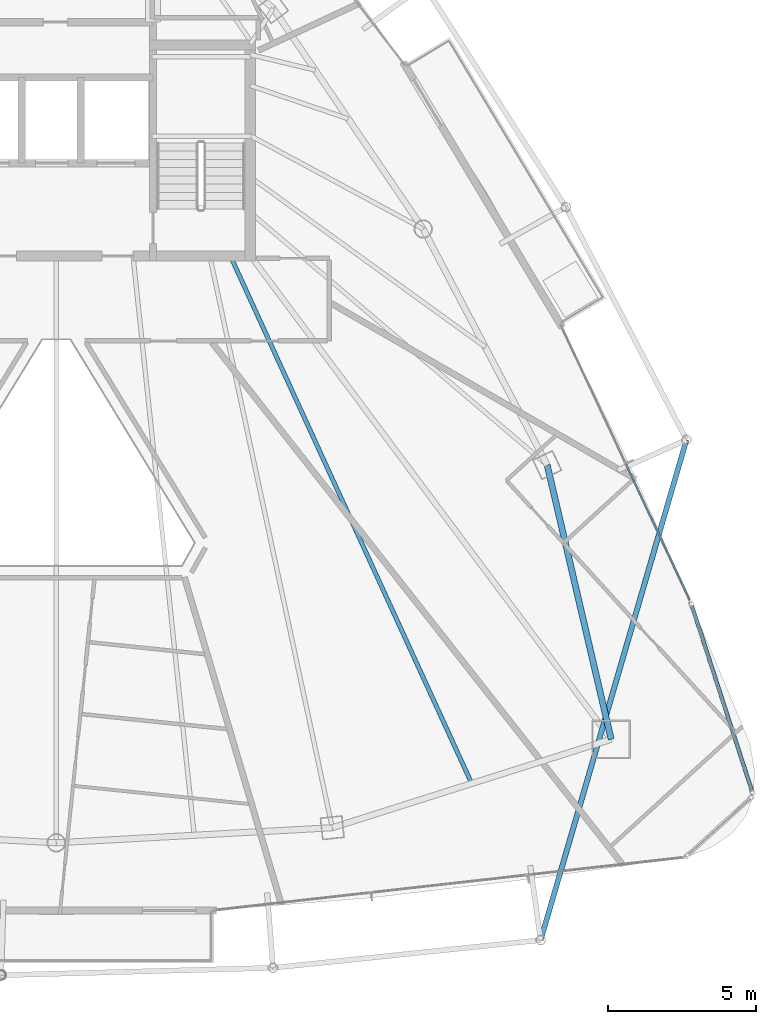
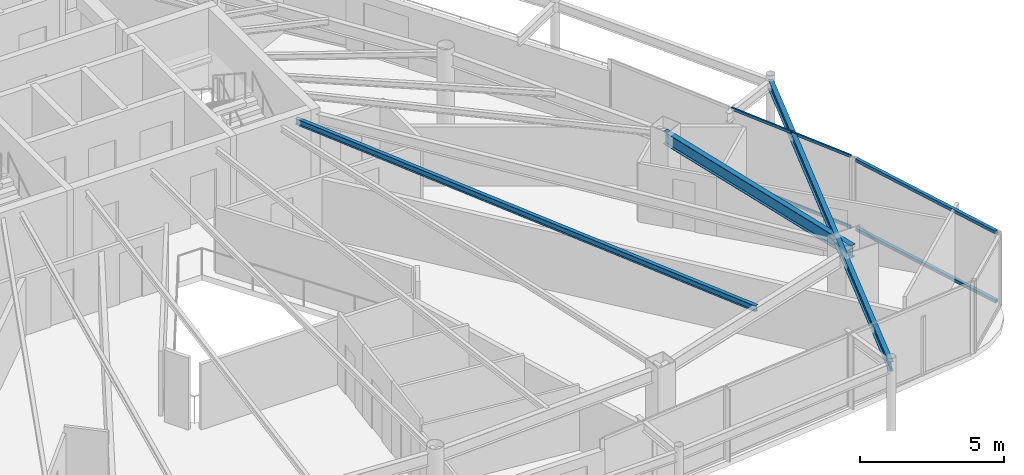
# One storey, part 17 of 34: 4 members, 3 beams, 2 elements without a shape of their own.
"""IFC4 building model written with IfcOpenShell, lengths in metres."""

import ifcopenshell
import ifcopenshell.guid

model = None  # the IFC model being written
_history = None  # IfcOwnerHistory: only IFC2X3 demands one
_inside = {}  # id of a spatial element -> (the spatial element, [elements in it])
_under = {}  # id of a project, library or spatial element -> (it, [spatial elements below it])
_declared = {}  # id of a project -> (the project, [libraries it declares])
_typed = {}  # id of a type object -> (the type object, [elements of that type])
_made_of = {}  # id of a material, layer set ... -> (it, [elements and type objects made of it])


def new_model(schema):
    """Start an empty IFC model of exactly this schema.

    Asked for "IFC4X3", IfcOpenShell would pick the latest addendum, in which some entities
    have other attributes; the version numbers below select the first issue.
    IFC2X3 requires an IfcOwnerHistory on every rooted entity: one is made here for all.
    """
    global model, _history
    if schema == "IFC4X3":
        model = ifcopenshell.file(schema_version=(4, 3, 0, 0))
    else:
        model = ifcopenshell.file(schema=schema)
    _inside.clear()
    _under.clear()
    _declared.clear()
    _typed.clear()
    _made_of.clear()
    _history = None
    if model.schema == "IFC2X3":
        org = make("IfcOrganization", Name="unknown")
        user = make(
            "IfcPersonAndOrganization",
            ThePerson=make("IfcPerson", FamilyName="unknown"),
            TheOrganization=org,
        )
        app = make(
            "IfcApplication",
            ApplicationDeveloper=org,
            Version="unknown",
            ApplicationFullName="unknown",
            ApplicationIdentifier="unknown",
        )
        _history = make(
            "IfcOwnerHistory",
            OwningUser=user,
            OwningApplication=app,
            ChangeAction="ADDED",
            CreationDate=0,
        )
    return model


def make(cls, **values):
    """One entity of the class cls with the attributes given. An attribute that is None is left unset."""
    return model.create_entity(
        cls, **{name: value for name, value in values.items() if value is not None}
    )


def rooted(cls, **values):
    """An entity with a GlobalId (a new one), such as an element, a storey or a relation."""
    return make(cls, GlobalId=ifcopenshell.guid.new(), OwnerHistory=_history, **values)


def si_unit(unit_type, name, prefix=None):
    """IfcSIUnit, for example si_unit("LENGTHUNIT", "METRE", prefix="MILLI")."""
    return make("IfcSIUnit", UnitType=unit_type, Prefix=prefix, Name=name)


def assignment(units):
    """IfcUnitAssignment: the units of a project."""
    return None if units is None else make("IfcUnitAssignment", Units=units)


def point(xyz):
    """IfcCartesianPoint."""
    return None if xyz is None else make("IfcCartesianPoint", Coordinates=xyz)


def direction(xyz):
    """IfcDirection."""
    return None if xyz is None else make("IfcDirection", DirectionRatios=xyz)


def frame(location, z_axis=None, x_axis=None):
    """IfcAxis2Placement3D, a coordinate frame: its origin and axes. An axis left out is left unset."""
    return make(
        "IfcAxis2Placement3D",
        Location=point(location),
        Axis=direction(z_axis),
        RefDirection=direction(x_axis),
    )


def frame_2d(location, x_axis=None):
    """IfcAxis2Placement2D, a coordinate frame in the plane: its origin and x axis."""
    return make(
        "IfcAxis2Placement2D", Location=point(location), RefDirection=direction(x_axis)
    )


def origin():
    """The frame at (0, 0, 0) with its axes left unset."""
    return frame((0.0, 0.0, 0.0))


def origin_2d():
    """The frame at (0, 0) in the plane with its x axis left unset."""
    return frame_2d((0.0, 0.0))


def place(relative_to, where):
    """IfcLocalPlacement: puts the frame where relative to a parent placement (None: the world)."""
    return make(
        "IfcLocalPlacement", PlacementRelTo=relative_to, RelativePlacement=where
    )


def context(
    kind, dimensions, precision=None, world=None, true_north=None, identifier=None
):
    """IfcGeometricRepresentationContext, for example the 3D "Model" context."""
    return make(
        "IfcGeometricRepresentationContext",
        ContextIdentifier=identifier,
        ContextType=kind,
        CoordinateSpaceDimension=dimensions,
        Precision=precision,
        WorldCoordinateSystem=world,
        TrueNorth=true_north,
    )


def subcontext(parent, identifier, kind, view, scale=None):
    """IfcGeometricRepresentationSubContext, for example "Body" below "Model"."""
    return make(
        "IfcGeometricRepresentationSubContext",
        ContextIdentifier=identifier,
        ContextType=kind,
        ParentContext=parent,
        TargetScale=scale,
        TargetView=view,
    )


def project(units=None, contexts=None):
    """IfcProject with its units and contexts."""
    return rooted(
        "IfcProject",
        Name="project",
        RepresentationContexts=contexts,
        UnitsInContext=assignment(units),
    )


def spatial(cls, under=None, at=None, **own):
    """A site, building, storey or space (cls), placed at a placement, below another one or the project."""
    s = rooted(cls, ObjectPlacement=at, **own)
    if under is not None:
        _under.setdefault(under.id(), (under, []))[1].append(s)
    return s


def profile(cls, at=None, kind="AREA", **sizes):
    """A parametric profile (cls). Its sizes go by their IFC names, for example OverallWidth=200.0."""
    return make(cls, ProfileType=kind, Position=at, **sizes)


def hollow_rectangle(**sizes):
    """IfcRectangleHollowProfileDef."""
    return profile("IfcRectangleHollowProfileDef", **sizes)


def i_section(**sizes):
    """IfcIShapeProfileDef."""
    return profile("IfcIShapeProfileDef", **sizes)


def extrude(swept, where, along, depth):
    """IfcExtrudedAreaSolid: the profile swept, set in the frame where, extruded along a direction by depth."""
    return make(
        "IfcExtrudedAreaSolid",
        SweptArea=swept,
        Position=where,
        ExtrudedDirection=direction(along),
        Depth=depth,
    )


def shape(context_of_items, identifier, shape_type, items):
    """IfcShapeRepresentation: the items that make up one representation, for example the "Body"."""
    return make(
        "IfcShapeRepresentation",
        ContextOfItems=context_of_items,
        RepresentationIdentifier=identifier,
        RepresentationType=shape_type,
        Items=items,
    )


def material(Name=None, Category=None):
    """IfcMaterial."""
    return make("IfcMaterial", Name=Name, Category=Category)


def layer(
    of_material, thickness, ventilated=None, Name=None, Category=None, Priority=None
):
    """IfcMaterialLayer: one layer of a wall or slab, of a material (None: an air gap)."""
    return make(
        "IfcMaterialLayer",
        Material=of_material,
        LayerThickness=thickness,
        IsVentilated=ventilated,
        Name=Name,
        Category=Category,
        Priority=Priority,
    )


def layer_set(layers, Name=None):
    """IfcMaterialLayerSet."""
    return make("IfcMaterialLayerSet", MaterialLayers=layers, LayerSetName=Name)


def material_profile(
    of_material, cross_section, Name=None, Category=None, Priority=None
):
    """IfcMaterialProfile: a cross section and its material."""
    return make(
        "IfcMaterialProfile",
        Name=Name,
        Material=of_material,
        Profile=cross_section,
        Priority=Priority,
        Category=Category,
    )


def profile_set(profiles, Name=None, composite=None):
    """IfcMaterialProfileSet."""
    return make(
        "IfcMaterialProfileSet",
        Name=Name,
        MaterialProfiles=profiles,
        CompositeProfile=composite,
    )


def made_of(thing, what):
    """Note that an element or type object is made of a material, layer set ...; save() writes the relation."""
    if what is not None:
        _made_of.setdefault(what.id(), (what, []))[1].append(thing)
    return thing


def type_object(cls, material=None, **own):
    """A type object (cls), such as IfcWallType, which elements share."""
    return made_of(rooted(cls, **own), material)


def element(
    cls,
    number,
    at=None,
    inside=None,
    cuts=None,
    type_object=None,
    material=None,
    context=None,
    identifier="Body",
    shape_type=None,
    held_by="IfcProductDefinitionShape",
    body=None,
    shapes=None,
    **own,
):
    """One element of the class cls, such as IfcWall. Its Tag is "e" and its number.

    at: its placement. inside: the storey or other place that contains it. cuts: it is an
    opening in that element (IfcRelVoidsElement). A single representation is given by context,
    identifier, shape_type and body (its items); several are given by shapes. held_by: the class
    of the entity that holds the representations. save() writes the other relations.
    """
    e = rooted(cls, Tag="e%d" % number, ObjectPlacement=at, **own)
    if body is not None:
        shapes = [shape(context, identifier, shape_type, body)]
    if shapes is not None:
        e.Representation = make(held_by, Representations=shapes)
    if inside is not None:
        _inside.setdefault(inside.id(), (inside, []))[1].append(e)
    if cuts is not None:
        rooted(
            "IfcRelVoidsElement", RelatingBuildingElement=cuts, RelatedOpeningElement=e
        )
    if type_object is not None:
        _typed.setdefault(type_object.id(), (type_object, []))[1].append(e)
    return made_of(e, material)


def aggregate(whole, parts):
    """IfcRelAggregates: a whole, such as a stair, and the parts it consists of."""
    return rooted("IfcRelAggregates", RelatingObject=whole, RelatedObjects=parts)


def save(model, path):
    """Write the relations noted so far, then the file.

    IfcRelAggregates (storeys below a building ...), IfcRelContainedInSpatialStructure (elements
    in a storey), IfcRelDefinesByType, IfcRelAssociatesMaterial and IfcRelDeclares: one each for
    every whole, place, type object, material and project.
    """
    for whole, parts in _under.values():
        aggregate(whole, parts)
    for where, things in _inside.values():
        rooted(
            "IfcRelContainedInSpatialStructure",
            RelatedElements=things,
            RelatingStructure=where,
        )
    for kind, things in _typed.values():
        rooted("IfcRelDefinesByType", RelatedObjects=things, RelatingType=kind)
    for what, things in _made_of.values():
        rooted("IfcRelAssociatesMaterial", RelatedObjects=things, RelatingMaterial=what)
    for by, libraries in _declared.values():
        rooted("IfcRelDeclares", RelatingContext=by, RelatedDefinitions=libraries)
    model.write(path)


model = new_model("IFC4")

# Units and contexts
model_context = context("Model", 3, precision=1e-05, world=origin(), true_north=direction((0.0, 1.0)))
body_context = subcontext(model_context, "Body", "Model", "MODEL_VIEW")
ifc_project = project(units=[si_unit("LENGTHUNIT", "METRE"), si_unit("AREAUNIT", "SQUARE_METRE"), si_unit("VOLUMEUNIT", "CUBIC_METRE"), si_unit("PLANEANGLEUNIT", "RADIAN"), si_unit("MASSUNIT", "GRAM", prefix="KILO")], contexts=[model_context])

# Site, building, storey
site_placement = place(None, origin())
site = spatial("IfcSite", under=ifc_project, at=site_placement, CompositionType="ELEMENT")
building_placement = place(site_placement, origin())
building = spatial("IfcBuilding", under=site, at=building_placement, Name="Orvanel Arch Residences", CompositionType="ELEMENT")
storey_placement = place(building_placement, frame((0.0, 0.0, 199.699951171875)))
storey = spatial("IfcBuildingStorey", under=building, at=storey_placement, Name="L56", CompositionType="ELEMENT", Elevation=199.699951171875)

# Beams
ifc_material_1 = material(Name="Structural steel AS/NZS 3679.1 Grade 300 (300 MPa)", Category="steel")
ifc_material_profile_1 = material_profile(ifc_material_1, i_section(OverallWidth=0.14599609375, OverallDepth=0.251953125, WebThickness=0.006103515625, FlangeThickness=0.008544921875, at=origin_2d()), Name="250UB31.4")
ifc_profile_set_1 = profile_set([ifc_material_profile_1], Name="Structural steel AS/NZS 3679.1 Grade 300 (300 MPa)")
beam_type_1 = type_object("IfcBeamType", Name="BJ-250UB", PredefinedType="JOIST", material=ifc_profile_set_1)
beam_1_placement = place(storey_placement, frame((38.89990234375, 26.72509765625, 2.93408203125), z_axis=(0.416009574066, -0.909360233508, 0.0), x_axis=(0.909360233508, 0.416009574066, 0.0)))
element("IfcBeam", 1, at=beam_1_placement, inside=storey, type_object=beam_type_1, Name="L56 JADD2 Wing Floor Joist", PredefinedType="JOIST", context=body_context, shape_type="SweptSolid", body=[
    extrude(i_section(OverallWidth=0.14599609375, OverallDepth=0.251953125, WebThickness=0.006103515625, FlangeThickness=0.008544921875, at=origin_2d()), origin(), (0.0, 0.0, 1.0), 19.653564453125),
])
ifc_material_profile_2 = material_profile(ifc_material_1, i_section(OverallWidth=0.177978515625, OverallDepth=0.406005859375, WebThickness=0.0078125, FlangeThickness=0.0126953125, at=origin_2d()), Name="410UB59.7")
ifc_profile_set_2 = profile_set([ifc_material_profile_2], Name="Structural steel AS/NZS 3679.1 Grade 300 (300 MPa)")
beam_type_2 = type_object("IfcBeamType", Name="OB-410UB-EXT", PredefinedType="SPANDREL", material=ifc_profile_set_2)
beam_2_placement = place(storey_placement, frame((49.410888671875, 3.547119140625, 2.85693359375), z_axis=(0.279865655106, 0.960039173728, 0.0), x_axis=(-0.960039173728, 0.279865655106, 0.0)))
element("IfcBeam", 2, at=beam_2_placement, inside=storey, type_object=beam_type_2, Name="L56 Outer Perimeter Floor Ring Beam 08", PredefinedType="SPANDREL", context=body_context, shape_type="SweptSolid", body=[
    extrude(i_section(OverallWidth=0.177978515625, OverallDepth=0.406005859375, WebThickness=0.0078125, FlangeThickness=0.0126953125, at=origin_2d()), origin(), (0.0, 0.0, 1.0), 17.655517578125),
])
ifc_material_profile_3 = material_profile(ifc_material_1, i_section(OverallWidth=0.208984375, OverallDepth=0.532958984375, WebThickness=0.01025390625, FlangeThickness=0.015625, at=origin_2d()), Name="530UB92.4")
ifc_profile_set_3 = profile_set([ifc_material_profile_3], Name="Structural steel AS/NZS 3679.1 Grade 300 (300 MPa)")
beam_type_3 = type_object("IfcBeamType", Name="SP-530UB", PredefinedType="SPANDREL", material=ifc_profile_set_3)
beam_3_placement = place(storey_placement, frame((51.801025390625, 10.35107421875, 2.79296875), z_axis=(-0.227236087167, 0.973839699688, 0.0), x_axis=(-0.973839699688, -0.227236087167, 0.0)))
element("IfcBeam", 3, at=beam_3_placement, inside=storey, type_object=beam_type_3, Name="L56 Perimeter Spandrel Beam 06", PredefinedType="SPANDREL", context=body_context, shape_type="SweptSolid", body=[
    extrude(i_section(OverallWidth=0.208984375, OverallDepth=0.532958984375, WebThickness=0.01025390625, FlangeThickness=0.015625, at=origin_2d()), origin(), (0.0, 0.0, 1.0), 9.54052734375),
])

# Curtain wall, members
ifc_material_2 = material(Name="Bronze-anodised aluminium AA6063-T6", Category="aluminium")
ifc_layer_1 = layer(ifc_material_2, 0.175048828125)
ifc_layer_set_1 = layer_set([ifc_layer_1], Name="Bronze-anodised aluminium AA6063-T6")
curtain_wall_type_1 = type_object("IfcCurtainWallType", Name="CW4-HI-SYS", PredefinedType="NOTDEFINED", material=ifc_layer_set_1)
curtain_wall_1_placement = place(storey_placement, origin())
curtain_wall_1 = element("IfcCurtainWall", 4, at=curtain_wall_1_placement, inside=storey, type_object=curtain_wall_type_1, Name="L56 CW4-HI-SYS Unitised Curtain Wall", PredefinedType="NOTDEFINED")
ifc_material_profile_4 = material_profile(ifc_material_2, hollow_rectangle(XDim=0.06005859375, YDim=0.1201171875, WallThickness=0.00341796875, at=origin_2d()), Name="ALU120x60x3.5")
ifc_profile_set_4 = profile_set([ifc_material_profile_4], Name="Bronze-anodised aluminium AA6063-T6")
member_type_1 = type_object("IfcMemberType", Name="TRN-120x60", PredefinedType="USERDEFINED", material=ifc_profile_set_4)
member_1_placement = place(storey_placement, frame((54.456298828125, 15.0888671875, 0.030029296875), z_axis=(-0.424480869701, 0.905436906282, 0.0), x_axis=(-0.905436906282, -0.424480869701, 0.0)))
member_1 = element("IfcMember", 5, at=member_1_placement, type_object=member_type_1, Name="CW-S4 transom 1.1", ObjectType="TRANSOM", PredefinedType="USERDEFINED", context=body_context, shape_type="SweptSolid", body=[
    extrude(hollow_rectangle(XDim=0.06005859375, YDim=0.1201171875, WallThickness=0.00341796875, at=origin_2d()), origin(), (0.0, 0.0, 1.0), 5.057861328125),
])
member_2_placement = place(storey_placement, frame((54.456298828125, 15.0888671875, 3.030029296875), z_axis=(-0.424480869701, 0.905436906282, 0.0), x_axis=(-0.905436906282, -0.424480869701, 0.0)))
member_2 = element("IfcMember", 6, at=member_2_placement, type_object=member_type_1, Name="CW-S4 transom 1.2", ObjectType="TRANSOM", PredefinedType="USERDEFINED", context=body_context, shape_type="SweptSolid", body=[
    extrude(hollow_rectangle(XDim=0.06005859375, YDim=0.1201171875, WallThickness=0.00341796875, at=origin_2d()), origin(), (0.0, 0.0, 1.0), 5.057861328125),
])
aggregate(curtain_wall_1, [member_1, member_2])

ifc_layer_2 = layer(ifc_material_2, 0.18994140625)
ifc_layer_set_2 = layer_set([ifc_layer_2], Name="Bronze-anodised aluminium AA6063-T6")
curtain_wall_type_2 = type_object("IfcCurtainWallType", Name="CW5-CRN-SYS", PredefinedType="NOTDEFINED", material=ifc_layer_set_2)
curtain_wall_2_placement = place(storey_placement, origin())
curtain_wall_2 = element("IfcCurtainWall", 7, at=curtain_wall_2_placement, inside=storey, type_object=curtain_wall_type_2, Name="L56 CW5-CRN-SYS Unitised Curtain Wall", PredefinedType="NOTDEFINED")
ifc_material_profile_5 = material_profile(ifc_material_2, hollow_rectangle(XDim=0.1298828125, YDim=0.1298828125, WallThickness=0.00439453125, at=origin_2d()), Name="ALU130x130x4.5")
ifc_profile_set_5 = profile_set([ifc_material_profile_5], Name="Bronze-anodised aluminium AA6063-T6")
member_type_2 = type_object("IfcMemberType", Name="TRN-130x130", PredefinedType="USERDEFINED", material=ifc_profile_set_5)
member_3_placement = place(storey_placement, frame((56.568603515625, 8.608642578125, 0.06494140625), z_axis=(-0.30851561649, 0.95121927776, 0.0), x_axis=(-0.95121927776, -0.30851561649, 0.0)))
member_3 = element("IfcMember", 8, at=member_3_placement, type_object=member_type_2, Name="CW-S5 transom 1.1", ObjectType="TRANSOM", PredefinedType="USERDEFINED", context=body_context, shape_type="SweptSolid", body=[
    extrude(hollow_rectangle(XDim=0.1298828125, YDim=0.1298828125, WallThickness=0.00439453125, at=origin_2d()), origin(), (0.0, 0.0, 1.0), 6.561767578125),
])
member_4_placement = place(storey_placement, frame((56.568603515625, 8.608642578125, 2.9951171875), z_axis=(-0.30851561649, 0.95121927776, 0.0), x_axis=(-0.95121927776, -0.30851561649, 0.0)))
member_4 = element("IfcMember", 9, at=member_4_placement, type_object=member_type_2, Name="CW-S5 transom 1.2", ObjectType="TRANSOM", PredefinedType="USERDEFINED", context=body_context, shape_type="SweptSolid", body=[
    extrude(hollow_rectangle(XDim=0.1298828125, YDim=0.1298828125, WallThickness=0.00439453125, at=origin_2d()), origin(), (0.0, 0.0, 1.0), 6.561767578125),
])
aggregate(curtain_wall_2, [member_3, member_4])

save(model, "model.ifc")
